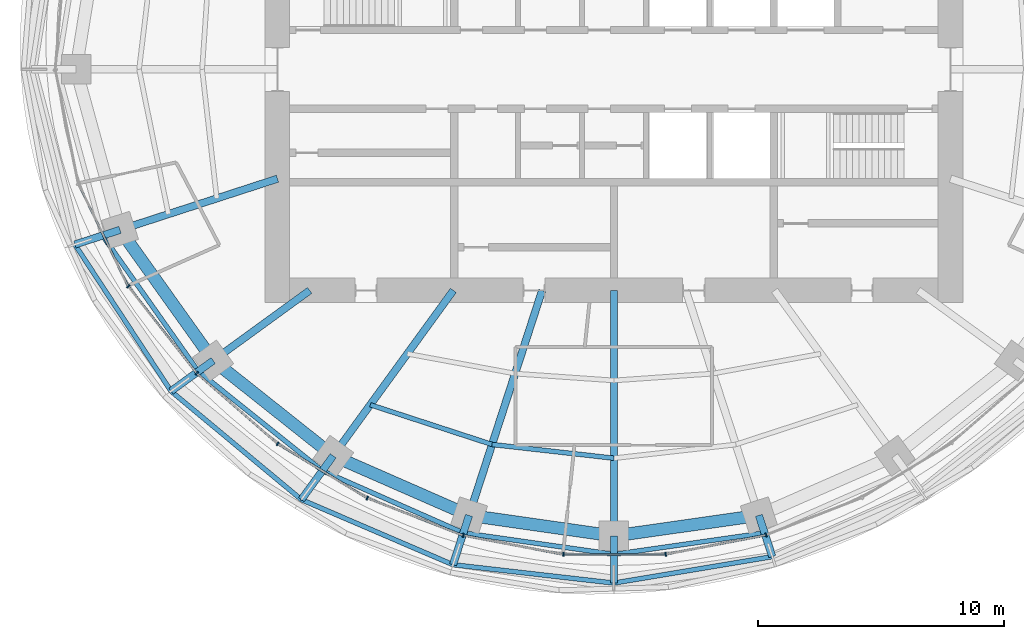
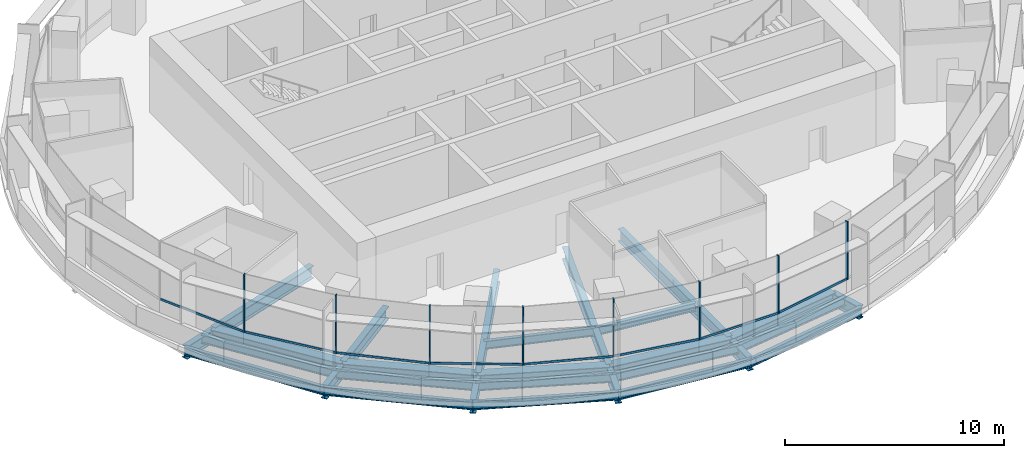
# One storey, part 2 of 15: 23 beams, 21 members, 2 elements without a shape of their own.
"""IFC4 building model written with IfcOpenShell, lengths in metres."""

from ifc_helpers import new_model, si_unit, direction, frame, origin, origin_2d, place, context, subcontext, project, spatial, rectangle, i_section, extrude, material, material_profile, profile_set, type_object, element, aggregate, save


model = new_model("IFC4")

# Units and contexts
model_context = context("Model", 3, precision=1e-05, world=origin(), true_north=direction((0.0, 1.0)))
body_context = subcontext(model_context, "Body", "Model", "MODEL_VIEW")
ifc_project = project(units=[si_unit("LENGTHUNIT", "METRE"), si_unit("AREAUNIT", "SQUARE_METRE"), si_unit("VOLUMEUNIT", "CUBIC_METRE"), si_unit("PLANEANGLEUNIT", "RADIAN"), si_unit("MASSUNIT", "GRAM", prefix="KILO")], contexts=[model_context])

# Site, building, storey
site_placement = place(None, origin())
site = spatial("IfcSite", under=ifc_project, at=site_placement, CompositionType="ELEMENT")
building_placement = place(site_placement, origin())
building = spatial("IfcBuilding", under=site, at=building_placement, Name="Marramba Exchange Tower", CompositionType="ELEMENT")
storey_placement = place(building_placement, frame((0.0, 0.0, 251.800048828125)))
storey = spatial("IfcBuildingStorey", under=building, at=storey_placement, Name="L61", CompositionType="ELEMENT", Elevation=251.800048828125)

# Members
ifc_material_1 = material(Name="Steel AS/NZS 3679.2 grade 300", Category="steel")
ifc_material_profile_1 = material_profile(ifc_material_1, i_section(OverallWidth=0.5, OverallDepth=0.48388671875, WebThickness=0.02490234375, FlangeThickness=0.031982421875, at=origin_2d()), Name="500WC340")
ifc_profile_set_1 = profile_set([ifc_material_profile_1], Name="Steel AS/NZS 3679.2 grade 300")
member_type_1 = type_object("IfcMemberType", Name="Belt truss chord 500WC340", PredefinedType="CHORD", material=ifc_profile_set_1)
member_1_placement = place(storey_placement, frame((-20.109375, -6.533935546875, -0.442138671875), z_axis=(0.580637181111, -0.814162430914, 0.0), x_axis=(0.814162430914, 0.580637181111, 0.0)))
element("IfcMember", 1, at=member_1_placement, inside=storey, type_object=member_type_1, Name="Belt chord L61 TC12-TC13", PredefinedType="CHORD", context=body_context, shape_type="SweptSolid", body=[
    extrude(i_section(OverallWidth=0.5, OverallDepth=0.48388671875, WebThickness=0.02490234375, FlangeThickness=0.031982421875, at=origin_2d()), origin(), (0.0, 0.0, 1.0), 6.5341796875),
])
member_2_placement = place(storey_placement, frame((-16.3154296875, -11.853759765625, -0.442138671875), z_axis=(0.783139438128, -0.621846138887, 0.0), x_axis=(0.621846138887, 0.783139438128, 0.0)))
element("IfcMember", 2, at=member_2_placement, inside=storey, type_object=member_type_1, Name="Belt chord L61 TC13-TC14", PredefinedType="CHORD", context=body_context, shape_type="SweptSolid", body=[
    extrude(i_section(OverallWidth=0.5, OverallDepth=0.48388671875, WebThickness=0.02490234375, FlangeThickness=0.031982421875, at=origin_2d()), origin(), (0.0, 0.0, 1.0), 6.23779296875),
])
member_3_placement = place(storey_placement, frame((-11.430419921875, -15.732666015625, -0.442138671875), z_axis=(0.915876892158, -0.4014592363, 0.0), x_axis=(0.4014592363, 0.915876892158, 0.0)))
element("IfcMember", 3, at=member_3_placement, inside=storey, type_object=member_type_1, Name="Belt chord L61 TC14-TC15", PredefinedType="CHORD", context=body_context, shape_type="SweptSolid", body=[
    extrude(i_section(OverallWidth=0.5, OverallDepth=0.48388671875, WebThickness=0.02490234375, FlangeThickness=0.031982421875, at=origin_2d()), origin(), (0.0, 0.0, 1.0), 6.038818359375),
])
for number, where, z_axis, x_axis, name in (
    (4, (-5.899658203125, -18.156982421875, -0.442138671875), (0.990036163016, -0.140813337152, 0.0), (0.140813337152, 0.990036163016, 0.0), "Belt chord L61 TC15-TC16"),
    (5, (0.0, -18.99609375, -0.442138671875), (0.990036163016, 0.140813337152, 0.0), (-0.140813337152, 0.990036163016, 0.0), "Belt chord L61 TC16-TC17"),
):
    element("IfcMember", number, at=place(storey_placement, frame(where, z_axis=z_axis, x_axis=x_axis)), inside=storey, type_object=member_type_1, Name=name, PredefinedType="CHORD", context=body_context, shape_type="SweptSolid", body=[
        extrude(i_section(OverallWidth=0.5, OverallDepth=0.48388671875, WebThickness=0.02490234375, FlangeThickness=0.031982421875, at=origin_2d()), origin(), (0.0, 0.0, 1.0), 5.958984375),
    ])

# Beams
ifc_material_profile_2 = material_profile(ifc_material_1, i_section(OverallWidth=0.300048828125, OverallDepth=0.699951171875, WebThickness=0.010009765625, FlangeThickness=0.031982421875, at=origin_2d()), Name="700WB173")
ifc_profile_set_2 = profile_set([ifc_material_profile_2], Name="Steel AS/NZS 3679.2 grade 300")
beam_type_1 = type_object("IfcBeamType", Name="Cantilever girder 700WB173", PredefinedType="BEAM", material=ifc_profile_set_2)
beam_1_placement = place(storey_placement, frame((-20.109375, -6.533935546875, -0.60009765625), z_axis=(-0.951071238541, -0.308971680287, 0.0), x_axis=(0.308971680287, -0.951071238541, 0.0)))
element("IfcBeam", 6, at=beam_1_placement, inside=storey, type_object=beam_type_1, Name="Cantilever girder L61 TC12", PredefinedType="BEAM", context=body_context, shape_type="SweptSolid", body=[
    extrude(i_section(OverallWidth=0.300048828125, OverallDepth=0.699951171875, WebThickness=0.010009765625, FlangeThickness=0.031982421875, at=origin_2d()), origin(), (0.0, 0.0, 1.0), 1.930419921875),
])
beam_2_placement = place(storey_placement, frame((-16.3154296875, -11.853759765625, -0.60009765625), z_axis=(-0.808969966943, -0.587849974555, 0.0), x_axis=(0.587849974555, -0.808969966943, 0.0)))
element("IfcBeam", 7, at=beam_2_placement, inside=storey, type_object=beam_type_1, Name="Cantilever girder L61 TC13", PredefinedType="BEAM", context=body_context, shape_type="SweptSolid", body=[
    extrude(i_section(OverallWidth=0.300048828125, OverallDepth=0.699951171875, WebThickness=0.010009765625, FlangeThickness=0.031982421875, at=origin_2d()), origin(), (0.0, 0.0, 1.0), 2.12109375),
])
beam_3_placement = place(storey_placement, frame((-11.430419921875, -15.732666015625, -0.60009765625), z_axis=(-0.587789596657, -0.809013837992, 0.0), x_axis=(0.809013837992, -0.587789596657, 0.0)))
element("IfcBeam", 8, at=beam_3_placement, inside=storey, type_object=beam_type_1, Name="Cantilever girder L61 TC14", PredefinedType="BEAM", context=body_context, shape_type="SweptSolid", body=[
    extrude(i_section(OverallWidth=0.300048828125, OverallDepth=0.699951171875, WebThickness=0.010009765625, FlangeThickness=0.031982421875, at=origin_2d()), origin(), (0.0, 0.0, 1.0), 2.203857421875),
])
beam_4_placement = place(storey_placement, frame((-5.899658203125, -18.156982421875, -0.60009765625), z_axis=(-0.308971068529, -0.951071437281, 0.0), x_axis=(0.951071437281, -0.308971068529, 0.0)))
element("IfcBeam", 9, at=beam_4_placement, inside=storey, type_object=beam_type_1, Name="Cantilever girder L61 TC15", PredefinedType="BEAM", context=body_context, shape_type="SweptSolid", body=[
    extrude(i_section(OverallWidth=0.300048828125, OverallDepth=0.699951171875, WebThickness=0.010009765625, FlangeThickness=0.031982421875, at=origin_2d()), origin(), (0.0, 0.0, 1.0), 2.112060546875),
])
beam_5_placement = place(storey_placement, frame((0.0, -18.99609375, -0.60009765625), z_axis=(0.0, -1.0, 0.0), x_axis=(1.0, 0.0, 0.0)))
element("IfcBeam", 10, at=beam_5_placement, inside=storey, type_object=beam_type_1, Name="Cantilever girder L61 TC16", PredefinedType="BEAM", context=body_context, shape_type="SweptSolid", body=[
    extrude(i_section(OverallWidth=0.300048828125, OverallDepth=0.699951171875, WebThickness=0.010009765625, FlangeThickness=0.031982421875, at=origin_2d()), origin(), (0.0, 0.0, 1.0), 1.917724609375),
])
beam_6_placement = place(storey_placement, frame((5.899658203125, -18.156982421875, -0.60009765625), z_axis=(0.308926813415, -0.951085813138, 0.0), x_axis=(0.951085813138, 0.308926813415, 0.0)))
element("IfcBeam", 11, at=beam_6_placement, inside=storey, type_object=beam_type_1, Name="Cantilever girder L61 TC17", PredefinedType="BEAM", context=body_context, shape_type="SweptSolid", body=[
    extrude(i_section(OverallWidth=0.300048828125, OverallDepth=0.699951171875, WebThickness=0.010009765625, FlangeThickness=0.031982421875, at=origin_2d()), origin(), (0.0, 0.0, 1.0), 1.767822265625),
])

# Curtain wall, members
ifc_material_2 = material(Name="Aluminium framing, bronze anodised", Category="aluminium")
curtain_wall_type = type_object("IfcCurtainWallType", Name="Executive floor ribbon curtain wall", PredefinedType="USERDEFINED", material=ifc_material_2)
curtain_wall_1_placement = place(storey_placement, origin())
curtain_wall_1 = element("IfcCurtainWall", 12, at=curtain_wall_1_placement, inside=storey, type_object=curtain_wall_type, Name="Curtain wall CW5 L61 F16-F20", ObjectType="RIBBON CURTAIN WALL", PredefinedType="USERDEFINED")
ifc_material_3 = material(Name="Aluminium mullion, bronze anodised", Category="aluminium")
ifc_material_profile_3 = material_profile(ifc_material_3, rectangle(XDim=0.159912109375, YDim=0.06005859375, at=origin_2d()), Name="CW5 mullion 60x160")
ifc_profile_set_3 = profile_set([ifc_material_profile_3], Name="Aluminium mullion, bronze anodised")
member_type_2 = type_object("IfcMemberType", Name="Executive floor ribbon curtain wall mullion", PredefinedType="MULLION", material=ifc_profile_set_3)
member_4_placement = place(storey_placement, frame((-19.771240234375, -8.83447265625, 0.800048828125), z_axis=(0.0, 0.0, 1.0), x_axis=(0.78594954734, 0.618290634763, 0.0)))
member_4 = element("IfcMember", 13, at=member_4_placement, type_object=member_type_2, Name="CW5 mullion 1", PredefinedType="MULLION", context=body_context, shape_type="SweptSolid", body=[
    extrude(rectangle(XDim=0.159912109375, YDim=0.06005859375, at=origin_2d()), origin(), (0.0, 0.0, 1.0), 3.239990234375),
])
member_5_placement = place(storey_placement, frame((-16.98046875, -12.373291015625, 0.800048828125), z_axis=(0.0, 0.0, 1.0), x_axis=(0.658305290779, 0.752751050569, 0.0)))
member_5 = element("IfcMember", 14, at=member_5_placement, type_object=member_type_2, Name="CW5 mullion 1", PredefinedType="MULLION", context=body_context, shape_type="SweptSolid", body=[
    extrude(rectangle(XDim=0.159912109375, YDim=0.06005859375, at=origin_2d()), origin(), (0.0, 0.0, 1.0), 3.239990234375),
])
member_6_placement = place(storey_placement, frame((-13.687744140625, -15.245849609375, 0.800048828125), z_axis=(0.0, 0.0, 1.0), x_axis=(0.519115121209, 0.854704329539, 0.0)))
member_6 = element("IfcMember", 15, at=member_6_placement, type_object=member_type_2, Name="CW5 mullion 1", PredefinedType="MULLION", context=body_context, shape_type="SweptSolid", body=[
    extrude(rectangle(XDim=0.159912109375, YDim=0.06005859375, at=origin_2d()), origin(), (0.0, 0.0, 1.0), 3.239990234375),
])

curtain_wall_2_placement = place(storey_placement, origin())
curtain_wall_2 = element("IfcCurtainWall", 16, at=curtain_wall_2_placement, inside=storey, type_object=curtain_wall_type, Name="Curtain wall CW5 L61 F21-F25", ObjectType="RIBBON CURTAIN WALL", PredefinedType="USERDEFINED")
member_7_placement = place(storey_placement, frame((-10.042724609375, -17.45361328125, 0.800048828125), z_axis=(0.0, 0.0, 1.0), x_axis=(0.363010271018, 0.931785137859, 0.0)))
member_7 = element("IfcMember", 17, at=member_7_placement, type_object=member_type_2, Name="CW5 mullion 1", PredefinedType="MULLION", context=body_context, shape_type="SweptSolid", body=[
    extrude(rectangle(XDim=0.159912109375, YDim=0.06005859375, at=origin_2d()), origin(), (0.0, 0.0, 1.0), 3.239990234375),
])
member_8_placement = place(storey_placement, frame((-6.1328125, -18.97119140625, 0.800048828125), z_axis=(0.0, 0.0, 1.0), x_axis=(0.187873198899, 0.982193291127, 0.0)))
member_8 = element("IfcMember", 18, at=member_8_placement, type_object=member_type_2, Name="CW5 mullion 1", PredefinedType="MULLION", context=body_context, shape_type="SweptSolid", body=[
    extrude(rectangle(XDim=0.159912109375, YDim=0.06005859375, at=origin_2d()), origin(), (0.0, 0.0, 1.0), 3.239990234375),
])
member_9_placement = place(storey_placement, frame((-2.04541015625, -19.7470703125, 0.800048828125), z_axis=(0.0, 0.0, 1.0), x_axis=(0.0, 1.0, 0.0)))
member_9 = element("IfcMember", 19, at=member_9_placement, type_object=member_type_2, Name="CW5 mullion 1", PredefinedType="MULLION", context=body_context, shape_type="SweptSolid", body=[
    extrude(rectangle(XDim=0.159912109375, YDim=0.06005859375, at=origin_2d()), origin(), (0.0, 0.0, 1.0), 3.239990234375),
])
member_10_placement = place(storey_placement, frame((2.10498046875, -19.741455078125, 0.800048828125), z_axis=(0.0, 0.0, 1.0), x_axis=(-0.187873198899, 0.982193291127, 0.0)))
member_10 = element("IfcMember", 20, at=member_10_placement, type_object=member_type_2, Name="CW5 mullion 1", PredefinedType="MULLION", context=body_context, shape_type="SweptSolid", body=[
    extrude(rectangle(XDim=0.159912109375, YDim=0.06005859375, at=origin_2d()), origin(), (0.0, 0.0, 1.0), 3.239990234375),
])
member_11_placement = place(storey_placement, frame((6.190185546875, -18.95458984375, 0.800048828125), z_axis=(0.0, 0.0, 1.0), x_axis=(-0.363010271018, 0.931785137859, 0.0)))
member_11 = element("IfcMember", 21, at=member_11_placement, type_object=member_type_2, Name="CW5 mullion 1", PredefinedType="MULLION", context=body_context, shape_type="SweptSolid", body=[
    extrude(rectangle(XDim=0.159912109375, YDim=0.06005859375, at=origin_2d()), origin(), (0.0, 0.0, 1.0), 3.239990234375),
])

# Member
ifc_material_4 = material(Name="Aluminium transom, bronze anodised", Category="aluminium")
ifc_material_profile_4 = material_profile(ifc_material_4, rectangle(XDim=0.06005859375, YDim=0.1201171875, at=origin_2d()), Name="CW5 transom 60x120")
ifc_profile_set_4 = profile_set([ifc_material_profile_4], Name="Aluminium transom, bronze anodised")
member_type_3 = type_object("IfcMemberType", Name="Executive floor ribbon curtain wall transom", PredefinedType="USERDEFINED", material=ifc_profile_set_4)
member_12_placement = place(storey_placement, frame((-21.788818359375, -4.69091796875, 0.829833984375), z_axis=(0.436519399678, -0.899694844769, 0.0), x_axis=(0.899694844769, 0.436519399678, 0.0)))
member_12 = element("IfcMember", 22, at=member_12_placement, type_object=member_type_3, Name="CW5 sill transom", ObjectType="TRANSOM", PredefinedType="USERDEFINED", context=body_context, shape_type="SweptSolid", body=[
    extrude(rectangle(XDim=0.06005859375, YDim=0.1201171875, at=origin_2d()), origin(), (0.0, 0.0, 1.0), 4.579345703125),
])

member_13_placement = place(storey_placement, frame((-19.752685546875, -8.858154296875, 0.829833984375), z_axis=(0.61829420435, -0.785946739206, 0.0), x_axis=(0.785946739206, 0.61829420435, 0.0)))
member_13 = element("IfcMember", 23, at=member_13_placement, type_object=member_type_3, Name="CW5 sill transom", ObjectType="TRANSOM", PredefinedType="USERDEFINED", context=body_context, shape_type="SweptSolid", body=[
    extrude(rectangle(XDim=0.06005859375, YDim=0.1201171875, at=origin_2d()), origin(), (0.0, 0.0, 1.0), 4.447265625),
])

member_14_placement = place(storey_placement, frame((-16.957763671875, -12.392822265625, 0.829833984375), z_axis=(0.752741590247, -0.658316108198, 0.0), x_axis=(0.658316108198, 0.752741590247, 0.0)))
member_14 = element("IfcMember", 24, at=member_14_placement, type_object=member_type_3, Name="CW5 sill transom", ObjectType="TRANSOM", PredefinedType="USERDEFINED", context=body_context, shape_type="SweptSolid", body=[
    extrude(rectangle(XDim=0.06005859375, YDim=0.1201171875, at=origin_2d()), origin(), (0.0, 0.0, 1.0), 4.31005859375),
])

member_15_placement = place(storey_placement, frame((-13.662109375, -15.261474609375, 0.829833984375), z_axis=(0.854701897511, -0.519119125434, 0.0), x_axis=(0.519119125434, 0.854701897511, 0.0)))
member_15 = element("IfcMember", 25, at=member_15_placement, type_object=member_type_3, Name="CW5 sill transom", ObjectType="TRANSOM", PredefinedType="USERDEFINED", context=body_context, shape_type="SweptSolid", body=[
    extrude(rectangle(XDim=0.06005859375, YDim=0.1201171875, at=origin_2d()), origin(), (0.0, 0.0, 1.0), 4.2021484375),
])

aggregate(curtain_wall_1, [member_12, member_4, member_13, member_5, member_14, member_6, member_15])

member_16_placement = place(storey_placement, frame((-10.0146484375, -17.464599609375, 0.829833984375), z_axis=(0.931790621773, -0.362996194438, 0.0), x_axis=(0.362996194438, 0.931790621773, 0.0)))
member_16 = element("IfcMember", 26, at=member_16_placement, type_object=member_type_3, Name="CW5 sill transom", ObjectType="TRANSOM", PredefinedType="USERDEFINED", context=body_context, shape_type="SweptSolid", body=[
    extrude(rectangle(XDim=0.06005859375, YDim=0.1201171875, at=origin_2d()), origin(), (0.0, 0.0, 1.0), 4.13427734375),
])

member_17_placement = place(storey_placement, frame((-6.103271484375, -18.976806640625, 0.829833984375), z_axis=(0.982201256187, -0.187831553114, 0.0), x_axis=(0.187831553114, 0.982201256187, 0.0)))
member_17 = element("IfcMember", 27, at=member_17_placement, type_object=member_type_3, Name="CW5 sill transom", ObjectType="TRANSOM", PredefinedType="USERDEFINED", context=body_context, shape_type="SweptSolid", body=[
    extrude(rectangle(XDim=0.06005859375, YDim=0.1201171875, at=origin_2d()), origin(), (0.0, 0.0, 1.0), 4.100830078125),
])

member_18_placement = place(storey_placement, frame((-2.015625, -19.7470703125, 0.829833984375), z_axis=(1.0, 0.0, 0.0), x_axis=(0.0, 1.0, 0.0)))
member_18 = element("IfcMember", 28, at=member_18_placement, type_object=member_type_3, Name="CW5 sill transom", ObjectType="TRANSOM", PredefinedType="USERDEFINED", context=body_context, shape_type="SweptSolid", body=[
    extrude(rectangle(XDim=0.06005859375, YDim=0.1201171875, at=origin_2d()), origin(), (0.0, 0.0, 1.0), 4.091064453125),
])

member_19_placement = place(storey_placement, frame((2.134521484375, -19.73583984375, 0.829833984375), z_axis=(0.982190271195, 0.187888986295, 0.0), x_axis=(-0.187888986295, 0.982190271195, 0.0)))
member_19 = element("IfcMember", 29, at=member_19_placement, type_object=member_type_3, Name="CW5 sill transom", ObjectType="TRANSOM", PredefinedType="USERDEFINED", context=body_context, shape_type="SweptSolid", body=[
    extrude(rectangle(XDim=0.06005859375, YDim=0.1201171875, at=origin_2d()), origin(), (0.0, 0.0, 1.0), 4.100830078125),
])

aggregate(curtain_wall_2, [member_7, member_16, member_8, member_17, member_9, member_18, member_10, member_19, member_11])

# Beams
ifc_material_5 = material(Name="Steel AS/NZS 3679.1 grade 300", Category="steel")
ifc_material_profile_5 = material_profile(ifc_material_5, i_section(OverallWidth=0.19091796875, OverallDepth=0.4599609375, WebThickness=0.010009765625, FlangeThickness=0.01611328125, FilletRadius=0.011474609375, at=origin_2d()), Name="460UB82.1")
ifc_profile_set_5 = profile_set([ifc_material_profile_5], Name="Steel AS/NZS 3679.1 grade 300")
beam_type_2 = type_object("IfcBeamType", Name="Floor joist 460UB82.1", PredefinedType="JOIST", material=ifc_profile_set_5)
beam_7_placement = place(storey_placement, frame((-9.9208984375, -13.655029296875, -0.429931640625), z_axis=(0.950764024931, -0.309915744834, 0.0), x_axis=(0.309915744834, 0.950764024931, 0.0)))
element("IfcBeam", 30, at=beam_7_placement, inside=storey, type_object=beam_type_2, Name="Joist L61 bay 14 row 2", PredefinedType="JOIST", context=body_context, shape_type="SweptSolid", body=[
    extrude(i_section(OverallWidth=0.19091796875, OverallDepth=0.4599609375, WebThickness=0.010009765625, FlangeThickness=0.01611328125, FilletRadius=0.011474609375, at=origin_2d()), origin(), (0.0, 0.0, 1.0), 5.2158203125),
])
beam_8_placement = place(storey_placement, frame((-4.9619140625, -15.271484375, -0.429931640625), z_axis=(0.993712018573, -0.111966174106, 0.0), x_axis=(0.111966174106, 0.993712018573, 0.0)))
element("IfcBeam", 31, at=beam_8_placement, inside=storey, type_object=beam_type_2, Name="Joist L61 bay 15 row 2", PredefinedType="JOIST", context=body_context, shape_type="SweptSolid", body=[
    extrude(i_section(OverallWidth=0.19091796875, OverallDepth=0.4599609375, WebThickness=0.010009765625, FlangeThickness=0.01611328125, FilletRadius=0.011474609375, at=origin_2d()), origin(), (0.0, 0.0, 1.0), 4.993408203125),
])
ifc_material_profile_6 = material_profile(ifc_material_1, i_section(OverallWidth=0.300048828125, OverallDepth=0.699951171875, WebThickness=0.010009765625, FlangeThickness=0.031982421875, at=origin_2d()), Name="700WB173")
ifc_profile_set_6 = profile_set([ifc_material_profile_6], Name="Steel AS/NZS 3679.2 grade 300")
beam_type_3 = type_object("IfcBeamType", Name="Radial girder 700WB173", PredefinedType="BEAM", material=ifc_profile_set_6)
beam_9_placement = place(storey_placement, frame((-13.699951171875, -4.451416015625, -0.550048828125), z_axis=(-0.951057759669, -0.309013167637, 0.0), x_axis=(0.309013167637, -0.951057759669, 0.0)))
element("IfcBeam", 32, at=beam_9_placement, inside=storey, type_object=beam_type_3, Name="Radial girder L61 TC12", PredefinedType="BEAM", context=body_context, shape_type="SweptSolid", body=[
    extrude(i_section(OverallWidth=0.300048828125, OverallDepth=0.699951171875, WebThickness=0.010009765625, FlangeThickness=0.031982421875, at=origin_2d()), origin(), (0.0, 0.0, 1.0), 6.7392578125),
])
beam_10_placement = place(storey_placement, frame((-12.387451171875, -9.0, -0.550048828125), z_axis=(-0.809025189606, -0.58777397236, 0.0), x_axis=(0.58777397236, -0.809025189606, 0.0)))
element("IfcBeam", 33, at=beam_10_placement, inside=storey, type_object=beam_type_3, Name="Radial girder L61 TC13", PredefinedType="BEAM", context=body_context, shape_type="SweptSolid", body=[
    extrude(i_section(OverallWidth=0.300048828125, OverallDepth=0.699951171875, WebThickness=0.010009765625, FlangeThickness=0.031982421875, at=origin_2d()), origin(), (0.0, 0.0, 1.0), 4.855224609375),
])
beam_11_placement = place(storey_placement, frame((-6.538818359375, -9.0, -0.550048828125), z_axis=(-0.587787877172, -0.809015087282, 0.0), x_axis=(0.809015087282, -0.587787877172, 0.0)))
element("IfcBeam", 34, at=beam_11_placement, inside=storey, type_object=beam_type_3, Name="Radial girder L61 TC14", PredefinedType="BEAM", context=body_context, shape_type="SweptSolid", body=[
    extrude(i_section(OverallWidth=0.300048828125, OverallDepth=0.699951171875, WebThickness=0.010009765625, FlangeThickness=0.031982421875, at=origin_2d()), origin(), (0.0, 0.0, 1.0), 8.322021484375),
])
beam_12_placement = place(storey_placement, frame((-2.92431640625, -9.0, -0.550048828125), z_axis=(-0.309022428985, -0.951054750466, 0.0), x_axis=(0.951054750466, -0.309022428985, 0.0)))
element("IfcBeam", 35, at=beam_12_placement, inside=storey, type_object=beam_type_3, Name="Radial girder L61 TC15", PredefinedType="BEAM", context=body_context, shape_type="SweptSolid", body=[
    extrude(i_section(OverallWidth=0.300048828125, OverallDepth=0.699951171875, WebThickness=0.010009765625, FlangeThickness=0.031982421875, at=origin_2d()), origin(), (0.0, 0.0, 1.0), 9.628173828125),
])
beam_13_placement = place(storey_placement, frame((0.0, -9.0, -0.550048828125), z_axis=(0.0, -1.0, 0.0), x_axis=(1.0, 0.0, 0.0)))
element("IfcBeam", 36, at=beam_13_placement, inside=storey, type_object=beam_type_3, Name="Radial girder L61 TC16", PredefinedType="BEAM", context=body_context, shape_type="SweptSolid", body=[
    extrude(i_section(OverallWidth=0.300048828125, OverallDepth=0.699951171875, WebThickness=0.010009765625, FlangeThickness=0.031982421875, at=origin_2d()), origin(), (0.0, 0.0, 1.0), 9.99609375),
])
ifc_material_profile_7 = material_profile(ifc_material_5, i_section(OverallWidth=0.19091796875, OverallDepth=0.4599609375, WebThickness=0.010009765625, FlangeThickness=0.01611328125, FilletRadius=0.011474609375, at=origin_2d()), Name="460UB82.1")
ifc_profile_set_7 = profile_set([ifc_material_profile_7], Name="Steel AS/NZS 3679.1 grade 300")
beam_type_4 = type_object("IfcBeamType", Name="Slab edge beam 460UB82.1", PredefinedType="SPANDREL", material=ifc_profile_set_7)
beam_14_placement = place(storey_placement, frame((-21.9453125, -7.13037109375, -0.47998046875), z_axis=(0.548275412052, -0.83629783722, 0.0), x_axis=(0.83629783722, 0.548275412052, 0.0)))
element("IfcBeam", 37, at=beam_14_placement, inside=storey, type_object=beam_type_4, Name="Setback roof edge beam L61 TC12-TC13", PredefinedType="SPANDREL", context=body_context, shape_type="SweptSolid", body=[
    extrude(i_section(OverallWidth=0.19091796875, OverallDepth=0.4599609375, WebThickness=0.010009765625, FlangeThickness=0.01611328125, FilletRadius=0.011474609375, at=origin_2d()), origin(), (0.0, 0.0, 1.0), 7.138916015625),
])
beam_15_placement = place(storey_placement, frame((-18.03125, -13.1005859375, -0.47998046875), z_axis=(0.768658895231, -0.639658895649, 0.0), x_axis=(0.639658895649, 0.768658895231, 0.0)))
element("IfcBeam", 38, at=beam_15_placement, inside=storey, type_object=beam_type_4, Name="Setback roof edge beam L61 TC13-TC14", PredefinedType="SPANDREL", context=body_context, shape_type="SweptSolid", body=[
    extrude(i_section(OverallWidth=0.19091796875, OverallDepth=0.4599609375, WebThickness=0.010009765625, FlangeThickness=0.01611328125, FilletRadius=0.011474609375, at=origin_2d()), origin(), (0.0, 0.0, 1.0), 6.902099609375),
])
beam_16_placement = place(storey_placement, frame((-12.725830078125, -17.515625, -0.47998046875), z_axis=(0.9189117964, -0.394463065999, 0.0), x_axis=(0.394463065999, 0.9189117964, 0.0)))
element("IfcBeam", 39, at=beam_16_placement, inside=storey, type_object=beam_type_4, Name="Setback roof edge beam L61 TC14-TC15", PredefinedType="SPANDREL", context=body_context, shape_type="SweptSolid", body=[
    extrude(i_section(OverallWidth=0.19091796875, OverallDepth=0.4599609375, WebThickness=0.010009765625, FlangeThickness=0.01611328125, FilletRadius=0.011474609375, at=origin_2d()), origin(), (0.0, 0.0, 1.0), 6.71826171875),
])
beam_17_placement = place(storey_placement, frame((-6.55224609375, -20.165771484375, -0.47998046875), z_axis=(0.993546030009, -0.113429653325, 0.0), x_axis=(0.113429653325, 0.993546030009, 0.0)))
element("IfcBeam", 40, at=beam_17_placement, inside=storey, type_object=beam_type_4, Name="Setback roof edge beam L61 TC15-TC16", PredefinedType="SPANDREL", context=body_context, shape_type="SweptSolid", body=[
    extrude(i_section(OverallWidth=0.19091796875, OverallDepth=0.4599609375, WebThickness=0.010009765625, FlangeThickness=0.01611328125, FilletRadius=0.011474609375, at=origin_2d()), origin(), (0.0, 0.0, 1.0), 6.5947265625),
])
beam_18_placement = place(storey_placement, frame((0.0, -20.913818359375, -0.47998046875), z_axis=(0.986365637189, 0.164568617219, 0.0), x_axis=(-0.164568617219, 0.986365637189, 0.0)))
element("IfcBeam", 41, at=beam_18_placement, inside=storey, type_object=beam_type_4, Name="Setback roof edge beam L61 TC16-TC17", PredefinedType="SPANDREL", context=body_context, shape_type="SweptSolid", body=[
    extrude(i_section(OverallWidth=0.19091796875, OverallDepth=0.4599609375, WebThickness=0.010009765625, FlangeThickness=0.01611328125, FilletRadius=0.011474609375, at=origin_2d()), origin(), (0.0, 0.0, 1.0), 6.534912109375),
])
beam_19_placement = place(storey_placement, frame((-20.82275390625, -6.765625, -0.429931640625), z_axis=(0.5764636086, -0.817122823056, 0.0), x_axis=(0.817122823056, 0.5764636086, 0.0)))
element("IfcBeam", 42, at=beam_19_placement, inside=storey, type_object=beam_type_4, Name="Slab edge beam L61 TC12-TC13", PredefinedType="SPANDREL", context=body_context, shape_type="SweptSolid", body=[
    extrude(i_section(OverallWidth=0.19091796875, OverallDepth=0.4599609375, WebThickness=0.010009765625, FlangeThickness=0.01611328125, FilletRadius=0.011474609375, at=origin_2d()), origin(), (0.0, 0.0, 1.0), 6.7666015625),
])
beam_20_placement = place(storey_placement, frame((-16.922119140625, -12.294677734375, -0.429931640625), z_axis=(0.780563193139, -0.625076876485, 0.0), x_axis=(0.625076876485, 0.780563193139, 0.0)))
element("IfcBeam", 43, at=beam_20_placement, inside=storey, type_object=beam_type_4, Name="Slab edge beam L61 TC13-TC14", PredefinedType="SPANDREL", context=body_context, shape_type="SweptSolid", body=[
    extrude(i_section(OverallWidth=0.19091796875, OverallDepth=0.4599609375, WebThickness=0.010009765625, FlangeThickness=0.01611328125, FilletRadius=0.011474609375, at=origin_2d()), origin(), (0.0, 0.0, 1.0), 6.470703125),
])
beam_21_placement = place(storey_placement, frame((-11.871337890625, -16.33935546875, -0.429931640625), z_axis=(0.914996831444, -0.403461024694, 0.0), x_axis=(0.403461024694, 0.914996831444, 0.0)))
element("IfcBeam", 44, at=beam_21_placement, inside=storey, type_object=beam_type_4, Name="Slab edge beam L61 TC14-TC15", PredefinedType="SPANDREL", context=body_context, shape_type="SweptSolid", body=[
    extrude(i_section(OverallWidth=0.19091796875, OverallDepth=0.4599609375, WebThickness=0.010009765625, FlangeThickness=0.01611328125, FilletRadius=0.011474609375, at=origin_2d()), origin(), (0.0, 0.0, 1.0), 6.273193359375),
])
for number, where, z_axis, x_axis, name in (
    (45, (-6.13134765625, -18.870361328125, -0.429931640625), (0.989953435116, -0.14139376331, 0.0), (0.14139376331, 0.989953435116, 0.0), "Slab edge beam L61 TC15-TC16"),
    (46, (0.0, -19.74609375, -0.429931640625), (0.989953435116, 0.14139376331, 0.0), (-0.14139376331, 0.989953435116, 0.0), "Slab edge beam L61 TC16-TC17"),
):
    element("IfcBeam", number, at=place(storey_placement, frame(where, z_axis=z_axis, x_axis=x_axis)), inside=storey, type_object=beam_type_4, Name=name, PredefinedType="SPANDREL", context=body_context, shape_type="SweptSolid", body=[
        extrude(i_section(OverallWidth=0.19091796875, OverallDepth=0.4599609375, WebThickness=0.010009765625, FlangeThickness=0.01611328125, FilletRadius=0.011474609375, at=origin_2d()), origin(), (0.0, 0.0, 1.0), 6.193603515625),
    ])

save(model, "model.ifc")
